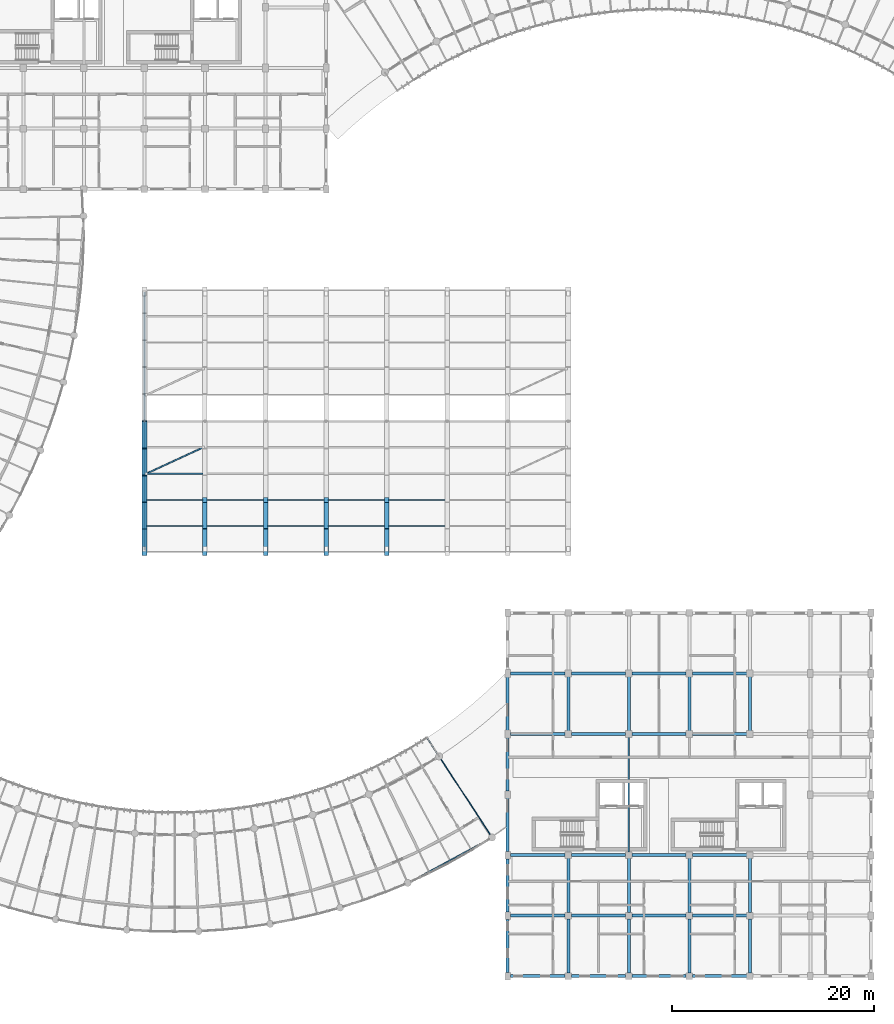
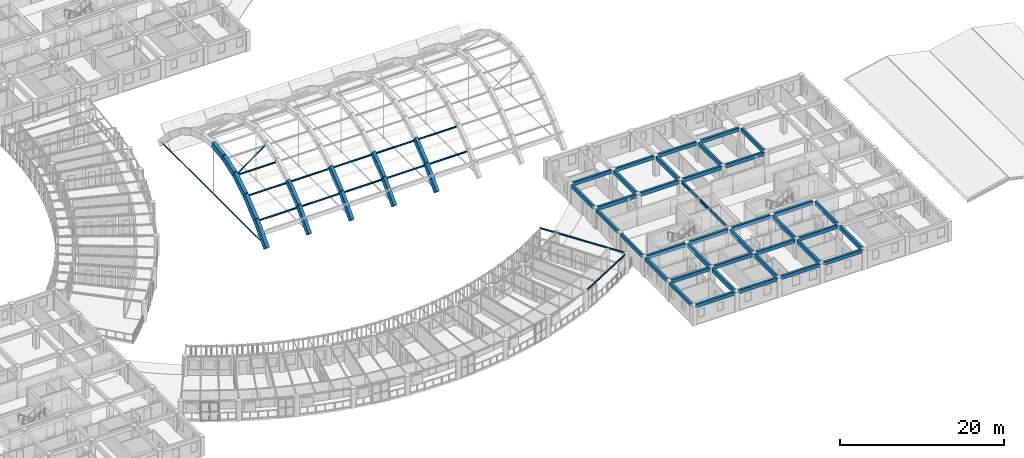
# One storey, part 21 of 123: 64 beams, 2 members.
"""IFC4 building model written with IfcOpenShell, lengths in metres."""

from ifc_helpers import new_model, si_unit, direction, frame, origin, origin_2d, place, context, subcontext, project, spatial, rectangle, hollow_rectangle, hollow_circle, i_section, extrude, material, material_profile, profile_set, type_object, element, save


model = new_model("IFC4")

# Units and contexts
model_context = context("Model", 3, precision=1e-05, world=origin(), true_north=direction((0.0, 1.0)))
body_context = subcontext(model_context, "Body", "Model", "MODEL_VIEW")
ifc_project = project(units=[si_unit("LENGTHUNIT", "METRE"), si_unit("AREAUNIT", "SQUARE_METRE"), si_unit("VOLUMEUNIT", "CUBIC_METRE"), si_unit("PLANEANGLEUNIT", "RADIAN"), si_unit("MASSUNIT", "GRAM", prefix="KILO"), si_unit("POWERUNIT", "WATT"), si_unit("THERMODYNAMICTEMPERATUREUNIT", "KELVIN")], contexts=[model_context])

# Site, building, storey
site_placement = place(None, origin())
site = spatial("IfcSite", under=ifc_project, at=site_placement, CompositionType="ELEMENT")
building_placement = place(site_placement, origin())
building = spatial("IfcBuilding", under=site, at=building_placement, Name="Ruvembo Vaulted Housing Court", CompositionType="ELEMENT")
storey_placement = place(building_placement, frame((0.0, 0.0, 7.699951171875)))
storey = spatial("IfcBuildingStorey", under=building, at=storey_placement, Name="L02", CompositionType="ELEMENT", Elevation=7.699951171875)

# Beams
ifc_material_1 = material(Name="Concrete C35/45", Category="concrete")
ifc_material_profile_1 = material_profile(ifc_material_1, rectangle(XDim=0.449951171875, YDim=0.800048828125, at=origin_2d()), Name="RC 450x800")
ifc_profile_set_1 = profile_set([ifc_material_profile_1], Name="Concrete C35/45")
beam_type_1 = type_object("IfcBeamType", Name="AR-RC-450x800", PredefinedType="BEAM", material=ifc_profile_set_1)
beam_1_placement = place(storey_placement, frame((72.0, 42.0, -1.5), z_axis=(0.0, 0.688863348141, 0.724891224659), x_axis=(-1.0, 0.0, 0.0)))
element("IfcBeam", 1, at=beam_1_placement, inside=storey, type_object=beam_type_1, Name="Community Hall Parabolic Arch Rib AR-02 Seg 1", PredefinedType="BEAM", context=body_context, shape_type="SweptSolid", body=[
    extrude(rectangle(XDim=0.449951171875, YDim=0.800048828125, at=origin_2d()), origin(), (0.0, 0.0, 1.0), 3.7744140625),
])
beam_2_placement = place(storey_placement, frame((72.0, 44.60009765625, 1.236083984375), z_axis=(0.0, 0.773843967543, 0.633376281445), x_axis=(-1.0, 0.0, 0.0)))
element("IfcBeam", 2, at=beam_2_placement, inside=storey, type_object=beam_type_1, Name="Community Hall Parabolic Arch Rib AR-02 Seg 2", PredefinedType="BEAM", context=body_context, shape_type="SweptSolid", body=[
    extrude(rectangle(XDim=0.449951171875, YDim=0.800048828125, at=origin_2d()), origin(), (0.0, 0.0, 1.0), 3.359619140625),
])
beam_3_placement = place(storey_placement, frame((78.0, 42.0, -1.5), z_axis=(0.0, 0.688863348141, 0.724891224659), x_axis=(-1.0, 0.0, 0.0)))
element("IfcBeam", 3, at=beam_3_placement, inside=storey, type_object=beam_type_1, Name="Community Hall Parabolic Arch Rib AR-03 Seg 1", PredefinedType="BEAM", context=body_context, shape_type="SweptSolid", body=[
    extrude(rectangle(XDim=0.449951171875, YDim=0.800048828125, at=origin_2d()), origin(), (0.0, 0.0, 1.0), 3.7744140625),
])
beam_4_placement = place(storey_placement, frame((78.0, 44.60009765625, 1.236083984375), z_axis=(0.0, 0.773843967543, 0.633376281445), x_axis=(-1.0, 0.0, 0.0)))
element("IfcBeam", 4, at=beam_4_placement, inside=storey, type_object=beam_type_1, Name="Community Hall Parabolic Arch Rib AR-03 Seg 2", PredefinedType="BEAM", context=body_context, shape_type="SweptSolid", body=[
    extrude(rectangle(XDim=0.449951171875, YDim=0.800048828125, at=origin_2d()), origin(), (0.0, 0.0, 1.0), 3.359619140625),
])
beam_5_placement = place(storey_placement, frame((84.0, 42.0, -1.5), z_axis=(0.0, 0.688863348141, 0.724891224659), x_axis=(-1.0, 0.0, 0.0)))
element("IfcBeam", 5, at=beam_5_placement, inside=storey, type_object=beam_type_1, Name="Community Hall Parabolic Arch Rib AR-04 Seg 1", PredefinedType="BEAM", context=body_context, shape_type="SweptSolid", body=[
    extrude(rectangle(XDim=0.449951171875, YDim=0.800048828125, at=origin_2d()), origin(), (0.0, 0.0, 1.0), 3.7744140625),
])
beam_6_placement = place(storey_placement, frame((84.0, 44.60009765625, 1.236083984375), z_axis=(0.0, 0.773843967543, 0.633376281445), x_axis=(-1.0, 0.0, 0.0)))
element("IfcBeam", 6, at=beam_6_placement, inside=storey, type_object=beam_type_1, Name="Community Hall Parabolic Arch Rib AR-04 Seg 2", PredefinedType="BEAM", context=body_context, shape_type="SweptSolid", body=[
    extrude(rectangle(XDim=0.449951171875, YDim=0.800048828125, at=origin_2d()), origin(), (0.0, 0.0, 1.0), 3.359619140625),
])
beam_7_placement = place(storey_placement, frame((90.0, 42.0, -1.5), z_axis=(0.0, 0.688863348141, 0.724891224659), x_axis=(-1.0, 0.0, 0.0)))
element("IfcBeam", 7, at=beam_7_placement, inside=storey, type_object=beam_type_1, Name="Community Hall Parabolic Arch Rib AR-05 Seg 1", PredefinedType="BEAM", context=body_context, shape_type="SweptSolid", body=[
    extrude(rectangle(XDim=0.449951171875, YDim=0.800048828125, at=origin_2d()), origin(), (0.0, 0.0, 1.0), 3.7744140625),
])
beam_8_placement = place(storey_placement, frame((90.0, 44.60009765625, 1.236083984375), z_axis=(0.0, 0.773843967543, 0.633376281445), x_axis=(-1.0, 0.0, 0.0)))
element("IfcBeam", 8, at=beam_8_placement, inside=storey, type_object=beam_type_1, Name="Community Hall Parabolic Arch Rib AR-05 Seg 2", PredefinedType="BEAM", context=body_context, shape_type="SweptSolid", body=[
    extrude(rectangle(XDim=0.449951171875, YDim=0.800048828125, at=origin_2d()), origin(), (0.0, 0.0, 1.0), 3.359619140625),
])
ifc_material_profile_2 = material_profile(ifc_material_1, rectangle(XDim=0.5, YDim=0.85009765625, at=origin_2d()), Name="RC 500x850")
ifc_profile_set_2 = profile_set([ifc_material_profile_2], Name="Concrete C35/45")
beam_type_2 = type_object("IfcBeamType", Name="AR-RC-500x850", PredefinedType="BEAM", material=ifc_profile_set_2)
beam_9_placement = place(storey_placement, frame((66.0, 42.0, -1.5), z_axis=(0.0, 0.688863348141, 0.724891224659), x_axis=(-1.0, 0.0, 0.0)))
element("IfcBeam", 9, at=beam_9_placement, inside=storey, type_object=beam_type_2, Name="Community Hall Parabolic Arch Rib AR-01 Seg 1", PredefinedType="BEAM", context=body_context, shape_type="SweptSolid", body=[
    extrude(rectangle(XDim=0.5, YDim=0.85009765625, at=origin_2d()), origin(), (0.0, 0.0, 1.0), 3.7744140625),
])
beam_10_placement = place(storey_placement, frame((66.0, 44.60009765625, 1.236083984375), z_axis=(0.0, 0.773843967543, 0.633376281445), x_axis=(-1.0, 0.0, 0.0)))
element("IfcBeam", 10, at=beam_10_placement, inside=storey, type_object=beam_type_2, Name="Community Hall Parabolic Arch Rib AR-01 Seg 2", PredefinedType="BEAM", context=body_context, shape_type="SweptSolid", body=[
    extrude(rectangle(XDim=0.5, YDim=0.85009765625, at=origin_2d()), origin(), (0.0, 0.0, 1.0), 3.359619140625),
])
beam_11_placement = place(storey_placement, frame((66.0, 47.199951171875, 3.364013671875), z_axis=(0.0, 0.863302227703, 0.504687292928), x_axis=(-1.0, 0.0, 0.0)))
element("IfcBeam", 11, at=beam_11_placement, inside=storey, type_object=beam_type_2, Name="Community Hall Parabolic Arch Rib AR-01 Seg 3", PredefinedType="BEAM", context=body_context, shape_type="SweptSolid", body=[
    extrude(rectangle(XDim=0.5, YDim=0.85009765625, at=origin_2d()), origin(), (0.0, 0.0, 1.0), 3.01171875),
])
beam_12_placement = place(storey_placement, frame((66.0, 49.800048828125, 4.884033203125), z_axis=(0.0, 0.943613580104, 0.331048956265), x_axis=(-1.0, 0.0, 0.0)))
element("IfcBeam", 12, at=beam_12_placement, inside=storey, type_object=beam_type_2, Name="Community Hall Parabolic Arch Rib AR-01 Seg 4", PredefinedType="BEAM", context=body_context, shape_type="SweptSolid", body=[
    extrude(rectangle(XDim=0.5, YDim=0.85009765625, at=origin_2d()), origin(), (0.0, 0.0, 1.0), 2.755126953125),
])
beam_13_placement = place(storey_placement, frame((66.0, 52.39990234375, 5.796142578125), z_axis=(0.0, 0.993236276414, 0.116110719637), x_axis=(-1.0, 0.0, 0.0)))
element("IfcBeam", 13, at=beam_13_placement, inside=storey, type_object=beam_type_2, Name="Community Hall Parabolic Arch Rib AR-01 Seg 5", PredefinedType="BEAM", context=body_context, shape_type="SweptSolid", body=[
    extrude(rectangle(XDim=0.5, YDim=0.85009765625, at=origin_2d()), origin(), (0.0, 0.0, 1.0), 2.617919921875),
])
ifc_material_profile_3 = material_profile(ifc_material_1, rectangle(XDim=0.300048828125, YDim=0.550048828125, at=origin_2d()), Name="RC 300x550")
ifc_profile_set_3 = profile_set([ifc_material_profile_3], Name="Concrete C35/45")
beam_type_3 = type_object("IfcBeamType", Name="BM-RC-300x550", PredefinedType="BEAM", material=ifc_profile_set_3)
beam_14_placement = place(storey_placement, frame((102.260009765625, 12.0, 2.679931640625), z_axis=(1.0, 0.0, 0.0), x_axis=(0.0, 1.0, 0.0)))
element("IfcBeam", 14, at=beam_14_placement, inside=storey, type_object=beam_type_3, Name="L02 Grid Beam X #1445", PredefinedType="BEAM", context=body_context, shape_type="SweptSolid", body=[
    extrude(rectangle(XDim=0.300048828125, YDim=0.550048828125, at=origin_2d()), origin(), (0.0, 0.0, 1.0), 5.429931640625),
])
for number, where, z_axis, x_axis, name in (
    (15, (108.31005859375, 12.0, 2.679931640625), (1.0, 0.0, 0.0), (0.0, 1.0, 0.0), "L02 Grid Beam X #1446"),
    (16, (114.31005859375, 12.0, 2.679931640625), (1.0, 0.0, 0.0), (0.0, 1.0, 0.0), "L02 Grid Beam X #1447"),
    (17, (120.31005859375, 12.0, 2.679931640625), (1.0, 0.0, 0.0), (0.0, 1.0, 0.0), "L02 Grid Beam X #1448"),
):
    element("IfcBeam", number, at=place(storey_placement, frame(where, z_axis=z_axis, x_axis=x_axis)), inside=storey, type_object=beam_type_3, Name=name, PredefinedType="BEAM", context=body_context, shape_type="SweptSolid", body=[
        extrude(rectangle(XDim=0.300048828125, YDim=0.550048828125, at=origin_2d()), origin(), (0.0, 0.0, 1.0), 5.3798828125),
    ])
beam_15_placement = place(storey_placement, frame((102.260009765625, 24.0, 2.679931640625), z_axis=(1.0, 0.0, 0.0), x_axis=(0.0, 1.0, 0.0)))
element("IfcBeam", 18, at=beam_15_placement, inside=storey, type_object=beam_type_3, Name="L02 Grid Beam X #1459", PredefinedType="BEAM", context=body_context, shape_type="SweptSolid", body=[
    extrude(rectangle(XDim=0.300048828125, YDim=0.550048828125, at=origin_2d()), origin(), (0.0, 0.0, 1.0), 5.429931640625),
])
for number, where, z_axis, x_axis, name in (
    (19, (108.31005859375, 24.0, 2.679931640625), (1.0, 0.0, 0.0), (0.0, 1.0, 0.0), "L02 Grid Beam X #1460"),
    (20, (114.31005859375, 24.0, 2.679931640625), (1.0, 0.0, 0.0), (0.0, 1.0, 0.0), "L02 Grid Beam X #1461"),
    (21, (120.31005859375, 24.0, 2.679931640625), (1.0, 0.0, 0.0), (0.0, 1.0, 0.0), "L02 Grid Beam X #1462"),
):
    element("IfcBeam", number, at=place(storey_placement, frame(where, z_axis=z_axis, x_axis=x_axis)), inside=storey, type_object=beam_type_3, Name=name, PredefinedType="BEAM", context=body_context, shape_type="SweptSolid", body=[
        extrude(rectangle(XDim=0.300048828125, YDim=0.550048828125, at=origin_2d()), origin(), (0.0, 0.0, 1.0), 5.3798828125),
    ])
ifc_material_profile_4 = material_profile(ifc_material_1, rectangle(XDim=0.300048828125, YDim=0.60009765625, at=origin_2d()), Name="RC 300x600")
ifc_profile_set_4 = profile_set([ifc_material_profile_4], Name="Concrete C35/45")
beam_type_4 = type_object("IfcBeamType", Name="BM-RC-300x600", PredefinedType="BEAM", material=ifc_profile_set_4)
for number, where, z_axis, x_axis, name in (
    (22, (108.0, 0.31005859375, 2.655029296875), (0.0, 1.0, 0.0), (-1.0, 0.0, 0.0), "L02 Grid Beam Y #1645"),
    (23, (108.0, 6.31005859375, 2.655029296875), (0.0, 1.0, 0.0), (-1.0, 0.0, 0.0), "L02 Grid Beam Y #1646"),
    (24, (108.0, 24.31005859375, 2.655029296875), (0.0, 1.0, 0.0), (-1.0, 0.0, 0.0), "L02 Grid Beam Y #1647"),
    (25, (114.0, 0.31005859375, 2.655029296875), (0.0, 1.0, 0.0), (-1.0, 0.0, 0.0), "L02 Grid Beam Y #1649"),
    (26, (114.0, 6.31005859375, 2.655029296875), (0.0, 1.0, 0.0), (-1.0, 0.0, 0.0), "L02 Grid Beam Y #1650"),
    (27, (114.0, 24.31005859375, 2.655029296875), (0.0, 1.0, 0.0), (-1.0, 0.0, 0.0), "L02 Grid Beam Y #1652"),
    (28, (120.0, 0.31005859375, 2.655029296875), (0.0, 1.0, 0.0), (-1.0, 0.0, 0.0), "L02 Grid Beam Y #1654"),
    (29, (120.0, 6.31005859375, 2.655029296875), (0.0, 1.0, 0.0), (-1.0, 0.0, 0.0), "L02 Grid Beam Y #1655"),
    (30, (120.0, 24.31005859375, 2.655029296875), (0.0, 1.0, 0.0), (-1.0, 0.0, 0.0), "L02 Grid Beam Y #1656"),
    (31, (126.0, 0.31005859375, 2.655029296875), (0.0, 1.0, 0.0), (-1.0, 0.0, 0.0), "L02 Grid Beam Y #1658"),
    (32, (126.0, 6.31005859375, 2.655029296875), (0.0, 1.0, 0.0), (-1.0, 0.0, 0.0), "L02 Grid Beam Y #1659"),
    (33, (126.0, 24.31005859375, 2.655029296875), (0.0, 1.0, 0.0), (-1.0, 0.0, 0.0), "L02 Grid Beam Y #1660"),
):
    element("IfcBeam", number, at=place(storey_placement, frame(where, z_axis=z_axis, x_axis=x_axis)), inside=storey, type_object=beam_type_4, Name=name, PredefinedType="BEAM", context=body_context, shape_type="SweptSolid", body=[
        extrude(rectangle(XDim=0.300048828125, YDim=0.60009765625, at=origin_2d()), origin(), (0.0, 0.0, 1.0), 5.3798828125),
    ])
ifc_material_2 = material(Name="Steel S355J2", Category="steel")
ifc_material_profile_5 = material_profile(ifc_material_2, i_section(OverallWidth=0.08203125, OverallDepth=0.159912109375, WebThickness=0.0048828125, FlangeThickness=0.00732421875, FilletRadius=0.009033203125, at=origin_2d()), Name="IPE 160")
ifc_profile_set_5 = profile_set([ifc_material_profile_5], Name="Steel S355J2")
beam_type_5 = type_object("IfcBeamType", Name="BM-ST-IPE160", PredefinedType="JOIST", material=ifc_profile_set_5)
beam_16_placement = place(storey_placement, frame((100.322265625, 13.93505859375, 2.860107421875), z_axis=(-0.545959206746, 0.837811759627, 0.0), x_axis=(-0.837811759627, -0.545959206746, 0.0)))
element("IfcBeam", 34, at=beam_16_placement, inside=storey, type_object=beam_type_5, Name="Scoop SC2 L02 Radial Steel Joist 28", PredefinedType="JOIST", context=body_context, shape_type="SweptSolid", body=[
    extrude(i_section(OverallWidth=0.08203125, OverallDepth=0.159912109375, WebThickness=0.0048828125, FlangeThickness=0.00732421875, FilletRadius=0.009033203125, at=origin_2d()), origin(), (0.0, 0.0, 1.0), 11.610107421875),
])
ifc_material_profile_6 = material_profile(ifc_material_2, i_section(OverallWidth=0.110107421875, OverallDepth=0.219970703125, WebThickness=0.005859375, FlangeThickness=0.00927734375, FilletRadius=0.011962890625, at=origin_2d()), Name="IPE 220")
ifc_profile_set_6 = profile_set([ifc_material_profile_6], Name="Steel S355J2")
beam_type_6 = type_object("IfcBeamType", Name="BM-ST-IPE220", PredefinedType="SPANDREL", material=ifc_profile_set_6)
beam_17_placement = place(storey_placement, frame((92.2958984375, 9.341552734375, 2.83203125), z_axis=(0.879961207555, 0.475045548552, 0.0), x_axis=(-0.475045548552, 0.879961207555, 0.0)))
element("IfcBeam", 35, at=beam_17_placement, inside=storey, type_object=beam_type_6, Name="Scoop SC2 L02 Chord Girder B24", PredefinedType="SPANDREL", context=body_context, shape_type="SweptSolid", body=[
    extrude(i_section(OverallWidth=0.110107421875, OverallDepth=0.219970703125, WebThickness=0.005859375, FlangeThickness=0.00927734375, FilletRadius=0.011962890625, at=origin_2d()), origin(), (0.0, 0.0, 1.0), 9.033935546875),
])
ifc_material_profile_7 = material_profile(ifc_material_2, i_section(OverallWidth=0.1201171875, OverallDepth=0.239990234375, WebThickness=0.006103515625, FlangeThickness=0.009765625, FilletRadius=0.014892578125, at=origin_2d()), Name="IPE 240")
ifc_profile_set_7 = profile_set([ifc_material_profile_7], Name="Steel S355J2")
beam_type_7 = type_object("IfcBeamType", Name="BM-ST-IPE240", PredefinedType="BEAM", material=ifc_profile_set_7)
for number, where, z_axis, x_axis, name in (
    (36, (66.2099609375, 44.60009765625, 0.9560546875), (1.0, 0.0, 0.0), (0.0, 1.0, 0.0), "Vault Bay 1 Steel Purlin K1"),
    (37, (66.2099609375, 47.199951171875, 3.083984375), (1.0, 0.0, 0.0), (0.0, 1.0, 0.0), "Vault Bay 1 Steel Purlin K2"),
    (38, (66.2099609375, 49.800048828125, 4.60400390625), (1.0, 0.0, 0.0), (0.0, 1.0, 0.0), "Vault Bay 1 Steel Purlin K3"),
    (39, (72.2099609375, 44.60009765625, 0.9560546875), (1.0, 0.0, 0.0), (0.0, 1.0, 0.0), "Vault Bay 2 Steel Purlin K1"),
    (40, (72.2099609375, 47.199951171875, 3.083984375), (1.0, 0.0, 0.0), (0.0, 1.0, 0.0), "Vault Bay 2 Steel Purlin K2"),
    (41, (78.2099609375, 44.60009765625, 0.9560546875), (1.0, 0.0, 0.0), (0.0, 1.0, 0.0), "Vault Bay 3 Steel Purlin K1"),
    (42, (78.2099609375, 47.199951171875, 3.083984375), (1.0, 0.0, 0.0), (0.0, 1.0, 0.0), "Vault Bay 3 Steel Purlin K2"),
    (43, (84.2099609375, 44.60009765625, 0.9560546875), (1.0, 0.0, 0.0), (0.0, 1.0, 0.0), "Vault Bay 4 Steel Purlin K1"),
    (44, (84.2099609375, 47.199951171875, 3.083984375), (1.0, 0.0, 0.0), (0.0, 1.0, 0.0), "Vault Bay 4 Steel Purlin K2"),
    (45, (90.2099609375, 44.60009765625, 0.9560546875), (1.0, 0.0, 0.0), (0.0, 1.0, 0.0), "Vault Bay 5 Steel Purlin K1"),
    (46, (90.2099609375, 47.199951171875, 3.083984375), (1.0, 0.0, 0.0), (0.0, 1.0, 0.0), "Vault Bay 5 Steel Purlin K2"),
):
    element("IfcBeam", number, at=place(storey_placement, frame(where, z_axis=z_axis, x_axis=x_axis)), inside=storey, type_object=beam_type_7, Name=name, PredefinedType="BEAM", context=body_context, shape_type="SweptSolid", body=[
        extrude(i_section(OverallWidth=0.1201171875, OverallDepth=0.239990234375, WebThickness=0.006103515625, FlangeThickness=0.009765625, FilletRadius=0.014892578125, at=origin_2d()), origin(), (0.0, 0.0, 1.0), 5.580078125),
    ])
ifc_material_profile_8 = material_profile(ifc_material_2, i_section(OverallWidth=0.179931640625, OverallDepth=0.39990234375, WebThickness=0.008544921875, FlangeThickness=0.013427734375, FilletRadius=0.02099609375, at=origin_2d()), Name="IPE 400")
ifc_profile_set_8 = profile_set([ifc_material_profile_8], Name="Steel S355J2")
beam_type_8 = type_object("IfcBeamType", Name="BM-ST-IPE400", PredefinedType="BEAM", material=ifc_profile_set_8)
beam_18_placement = place(storey_placement, frame((114.0, 12.31005859375, 2.72607421875), z_axis=(0.0, 1.0, 0.0), x_axis=(-1.0, 0.0, 0.0)))
element("IfcBeam", 47, at=beam_18_placement, inside=storey, type_object=beam_type_8, Name="L02 Grid Beam Y #1651", PredefinedType="BEAM", context=body_context, shape_type="SweptSolid", body=[
    extrude(i_section(OverallWidth=0.179931640625, OverallDepth=0.39990234375, WebThickness=0.008544921875, FlangeThickness=0.013427734375, FilletRadius=0.02099609375, at=origin_2d()), origin(), (0.0, 0.0, 1.0), 11.3798828125),
])

# Members
ifc_material_profile_9 = material_profile(ifc_material_2, hollow_rectangle(XDim=0.14990234375, YDim=0.14990234375, WallThickness=0.008056640625, InnerFilletRadius=0.008056640625, OuterFilletRadius=0.01611328125, at=origin_2d()), Name="SHS 150x150x8")
ifc_profile_set_9 = profile_set([ifc_material_profile_9], Name="Steel S355J2")
member_type_1 = type_object("IfcMemberType", Name="MEM-BRC-SHS150", PredefinedType="BRACE", material=ifc_profile_set_9)
member_1_placement = place(storey_placement, frame((66.179931640625, 49.800048828125, 4.6640625), z_axis=(0.898527071987, 0.414181230612, 0.145268747895), x_axis=(-0.418621873876, 0.908160628255, 0.0)))
element("IfcMember", 48, at=member_1_placement, inside=storey, type_object=member_type_1, Name="Vault Roof Arch Wind Brace B1.3", PredefinedType="BRACE", context=body_context, shape_type="SweptSolid", body=[
    extrude(hollow_rectangle(XDim=0.14990234375, YDim=0.14990234375, WallThickness=0.008056640625, InnerFilletRadius=0.008056640625, OuterFilletRadius=0.01611328125, at=origin_2d()), origin(), (0.0, 0.0, 1.0), 6.277099609375),
])
ifc_material_profile_10 = material_profile(ifc_material_2, hollow_circle(Radius=0.084228515625, WallThickness=0.010009765625, at=origin_2d()), Name="CHS 168.3x10")
ifc_profile_set_10 = profile_set([ifc_material_profile_10], Name="Steel S355J2")
member_type_2 = type_object("IfcMemberType", Name="MEM-TIE-CHS168", PredefinedType="USERDEFINED", material=ifc_profile_set_10)
member_2_placement = place(storey_placement, frame((66.0, 42.199951171875, -1.25), z_axis=(0.0, 1.0, 0.0), x_axis=(-1.0, 0.0, 0.0)))
element("IfcMember", 49, at=member_2_placement, inside=storey, type_object=member_type_2, Name="Vault Springing Steel Tension Tie VT-01", ObjectType="TIE_ROD", PredefinedType="USERDEFINED", context=body_context, shape_type="SweptSolid", body=[
    extrude(hollow_circle(Radius=0.084228515625, WallThickness=0.010009765625, at=origin_2d()), origin(), (0.0, 0.0, 1.0), 25.60009765625),
])

# Beams
ifc_material_profile_11 = material_profile(ifc_material_1, rectangle(XDim=0.300048828125, YDim=0.5, at=origin_2d()), Name="RC 300x500")
ifc_profile_set_11 = profile_set([ifc_material_profile_11], Name="Concrete C35/45")
beam_type_9 = type_object("IfcBeamType", Name="SP-RC-300x500", PredefinedType="SPANDREL", material=ifc_profile_set_11)
beam_19_placement = place(storey_placement, frame((102.260009765625, 0.0, 2.705078125), z_axis=(1.0, 0.0, 0.0), x_axis=(0.0, 1.0, 0.0)))
element("IfcBeam", 50, at=beam_19_placement, inside=storey, type_object=beam_type_9, Name="L02 Grid Beam X #1421", PredefinedType="SPANDREL", context=body_context, shape_type="SweptSolid", body=[
    extrude(rectangle(XDim=0.300048828125, YDim=0.5, at=origin_2d()), origin(), (0.0, 0.0, 1.0), 5.429931640625),
])
for number, where, z_axis, x_axis, name in (
    (51, (108.31005859375, 0.0, 2.705078125), (1.0, 0.0, 0.0), (0.0, 1.0, 0.0), "L02 Grid Beam X #1422"),
    (52, (114.31005859375, 0.0, 2.705078125), (1.0, 0.0, 0.0), (0.0, 1.0, 0.0), "L02 Grid Beam X #1423"),
    (53, (120.31005859375, 0.0, 2.705078125), (1.0, 0.0, 0.0), (0.0, 1.0, 0.0), "L02 Grid Beam X #1424"),
):
    element("IfcBeam", number, at=place(storey_placement, frame(where, z_axis=z_axis, x_axis=x_axis)), inside=storey, type_object=beam_type_9, Name=name, PredefinedType="SPANDREL", context=body_context, shape_type="SweptSolid", body=[
        extrude(rectangle(XDim=0.300048828125, YDim=0.5, at=origin_2d()), origin(), (0.0, 0.0, 1.0), 5.3798828125),
    ])
beam_20_placement = place(storey_placement, frame((102.260009765625, 6.0, 2.705078125), z_axis=(1.0, 0.0, 0.0), x_axis=(0.0, 1.0, 0.0)))
element("IfcBeam", 54, at=beam_20_placement, inside=storey, type_object=beam_type_9, Name="L02 Grid Beam X #1433", PredefinedType="SPANDREL", context=body_context, shape_type="SweptSolid", body=[
    extrude(rectangle(XDim=0.300048828125, YDim=0.5, at=origin_2d()), origin(), (0.0, 0.0, 1.0), 5.429931640625),
])
for number, where, z_axis, x_axis, name in (
    (55, (108.31005859375, 6.0, 2.705078125), (1.0, 0.0, 0.0), (0.0, 1.0, 0.0), "L02 Grid Beam X #1434"),
    (56, (114.31005859375, 6.0, 2.705078125), (1.0, 0.0, 0.0), (0.0, 1.0, 0.0), "L02 Grid Beam X #1435"),
    (57, (120.31005859375, 6.0, 2.705078125), (1.0, 0.0, 0.0), (0.0, 1.0, 0.0), "L02 Grid Beam X #1436"),
):
    element("IfcBeam", number, at=place(storey_placement, frame(where, z_axis=z_axis, x_axis=x_axis)), inside=storey, type_object=beam_type_9, Name=name, PredefinedType="SPANDREL", context=body_context, shape_type="SweptSolid", body=[
        extrude(rectangle(XDim=0.300048828125, YDim=0.5, at=origin_2d()), origin(), (0.0, 0.0, 1.0), 5.3798828125),
    ])
beam_21_placement = place(storey_placement, frame((102.260009765625, 30.0, 2.705078125), z_axis=(1.0, 0.0, 0.0), x_axis=(0.0, 1.0, 0.0)))
element("IfcBeam", 58, at=beam_21_placement, inside=storey, type_object=beam_type_9, Name="L02 Grid Beam X #1471", PredefinedType="SPANDREL", context=body_context, shape_type="SweptSolid", body=[
    extrude(rectangle(XDim=0.300048828125, YDim=0.5, at=origin_2d()), origin(), (0.0, 0.0, 1.0), 5.429931640625),
])
for number, where, z_axis, x_axis, name in (
    (59, (108.31005859375, 30.0, 2.705078125), (1.0, 0.0, 0.0), (0.0, 1.0, 0.0), "L02 Grid Beam X #1472"),
    (60, (114.31005859375, 30.0, 2.705078125), (1.0, 0.0, 0.0), (0.0, 1.0, 0.0), "L02 Grid Beam X #1473"),
    (61, (120.31005859375, 30.0, 2.705078125), (1.0, 0.0, 0.0), (0.0, 1.0, 0.0), "L02 Grid Beam X #1474"),
):
    element("IfcBeam", number, at=place(storey_placement, frame(where, z_axis=z_axis, x_axis=x_axis)), inside=storey, type_object=beam_type_9, Name=name, PredefinedType="SPANDREL", context=body_context, shape_type="SweptSolid", body=[
        extrude(rectangle(XDim=0.300048828125, YDim=0.5, at=origin_2d()), origin(), (0.0, 0.0, 1.0), 5.3798828125),
    ])
for number, where, z_axis, x_axis, name in (
    (62, (102.0, 0.360107421875, 2.705078125), (0.0, 1.0, 0.0), (-1.0, 0.0, 0.0), "L02 Grid Beam Y #1639"),
    (63, (102.0, 6.360107421875, 2.705078125), (0.0, 1.0, 0.0), (-1.0, 0.0, 0.0), "L02 Grid Beam Y #1640"),
    (64, (102.0, 12.360107421875, 2.705078125), (0.0, 1.0, 0.0), (-1.0, 0.0, 0.0), "L02 Grid Beam Y #1641"),
    (65, (102.0, 18.360107421875, 2.705078125), (0.0, 1.0, 0.0), (-1.0, 0.0, 0.0), "L02 Grid Beam Y #1642"),
    (66, (102.0, 24.360107421875, 2.705078125), (0.0, 1.0, 0.0), (-1.0, 0.0, 0.0), "L02 Grid Beam Y #1643"),
):
    element("IfcBeam", number, at=place(storey_placement, frame(where, z_axis=z_axis, x_axis=x_axis)), inside=storey, type_object=beam_type_9, Name=name, PredefinedType="SPANDREL", context=body_context, shape_type="SweptSolid", body=[
        extrude(rectangle(XDim=0.300048828125, YDim=0.5, at=origin_2d()), origin(), (0.0, 0.0, 1.0), 5.27978515625),
    ])

save(model, "model.ifc")
